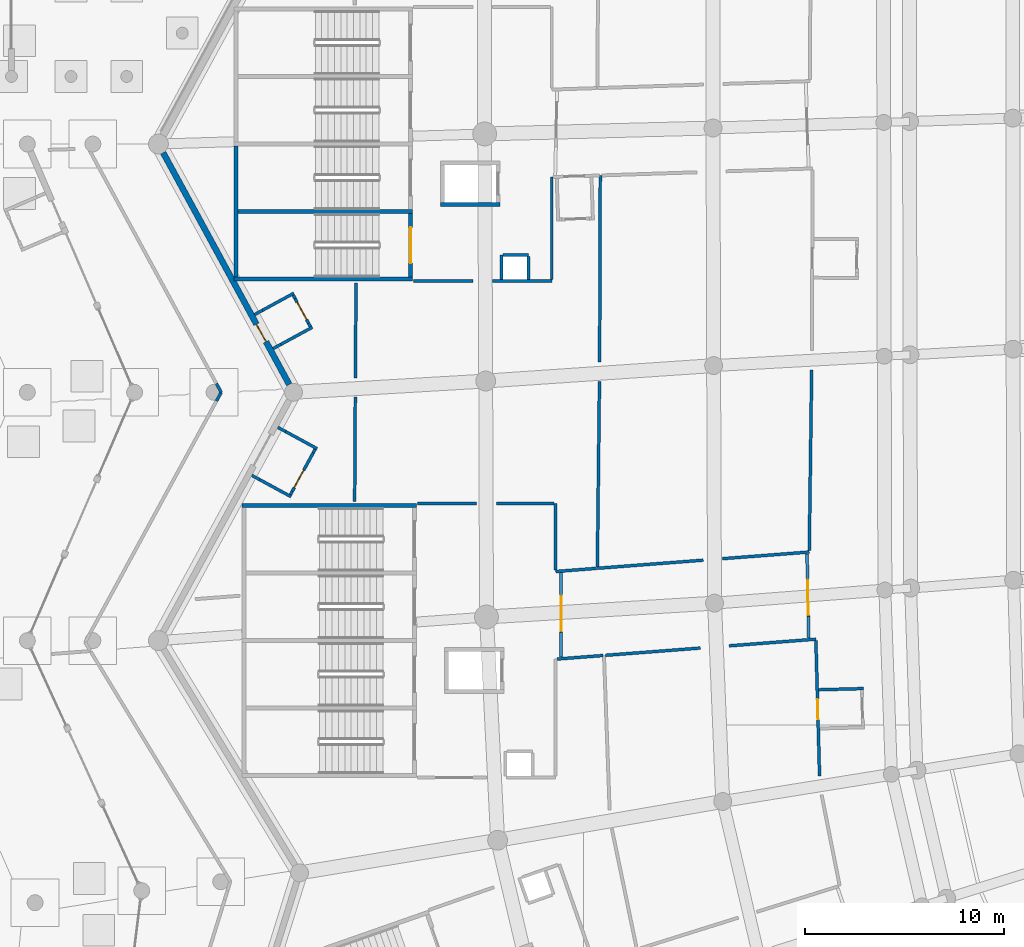
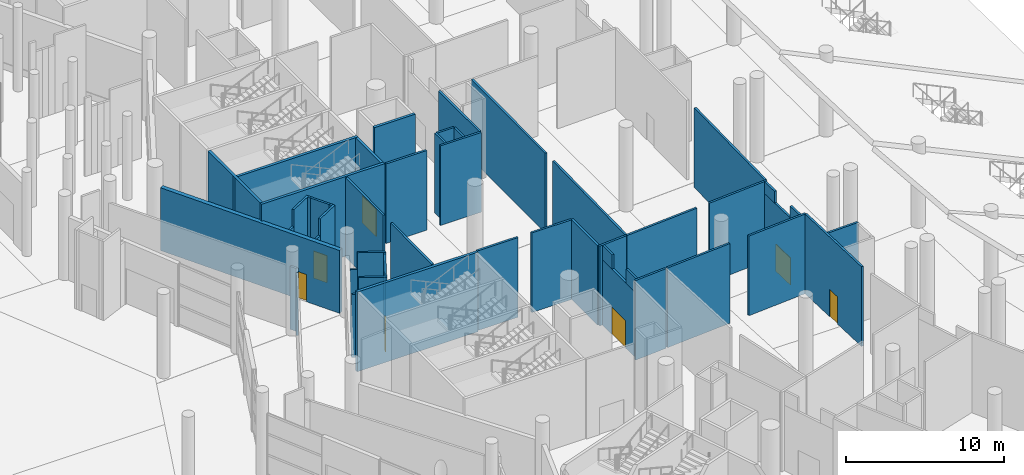
# One storey, part 111 of 255: 51 walls, 7 doors, 7 openings.
"""IFC4 building model written with IfcOpenShell, lengths in metres."""

from ifc_helpers import new_model, si_unit, direction, frame, frame_2d, origin, place, context, subcontext, project, spatial, rectangle, extrude, material, layer, layer_set, type_object, element, fill, save


model = new_model("IFC4")

# Units and contexts
model_context = context("Model", 3, precision=1e-05, world=origin(), true_north=direction((0.0, 1.0)))
body_context = subcontext(model_context, "Body", "Model", "MODEL_VIEW")
ifc_project = project(units=[si_unit("LENGTHUNIT", "METRE"), si_unit("AREAUNIT", "SQUARE_METRE"), si_unit("VOLUMEUNIT", "CUBIC_METRE"), si_unit("PLANEANGLEUNIT", "RADIAN"), si_unit("MASSUNIT", "GRAM", prefix="KILO")], contexts=[model_context])

# Site, building, storey
site_placement = place(None, origin())
site = spatial("IfcSite", under=ifc_project, at=site_placement, CompositionType="ELEMENT")
building_placement = place(site_placement, origin())
building = spatial("IfcBuilding", under=site, at=building_placement, Name="Meseta Stadium", CompositionType="ELEMENT")
storey_placement = place(building_placement, origin())
storey = spatial("IfcBuildingStorey", under=building, at=storey_placement, Name="L00", CompositionType="ELEMENT", Elevation=0.0)

# Walls
ifc_material_1 = material(Name="Concrete C40/50", Category="concrete")
ifc_layer_1 = layer(ifc_material_1, 0.199951171875)
ifc_layer_set_1 = layer_set([ifc_layer_1], Name="Core divider wall 200")
wall_type_1 = type_object("IfcWallType", Name="Core divider wall 200", PredefinedType="SHEAR", material=ifc_layer_set_1)
wall_1_placement = place(storey_placement, frame((-97.60009765625, -22.14990234375, 0.0), z_axis=(0.0, 0.0, 1.0), x_axis=(1.0, 0.0, 0.0)))
element("IfcWall", 1, at=wall_1_placement, inside=storey, type_object=wall_type_1, Name="Core 18 L00 stair B divider wall", PredefinedType="SHEAR", context=body_context, shape_type="SweptSolid", body=[
    extrude(rectangle(XDim=9.0, YDim=0.199951171875, at=frame_2d((4.5, 0.0))), origin(), (0.0, 0.0, 1.0), 6.14990234375),
])
ifc_material_2 = material(Name="Concrete C40/50", Category="concrete")
ifc_layer_2 = layer(ifc_material_2, 0.199951171875)
ifc_layer_set_2 = layer_set([ifc_layer_2], Name="Core shaft wall 200")
wall_type_2 = type_object("IfcWallType", Name="Core shaft wall 200", PredefinedType="SHEAR", material=ifc_layer_set_2)
wall_2_placement = place(storey_placement, frame((-97.60009765625, -25.550048828125, 0.0), z_axis=(0.0, 0.0, 1.0), x_axis=(1.0, 0.0, 0.0)))
element("IfcWall", 2, at=wall_2_placement, inside=storey, type_object=wall_type_2, Name="Core 18 L00 stair wall B-side", PredefinedType="SHEAR", context=body_context, shape_type="SweptSolid", body=[
    extrude(rectangle(XDim=9.0, YDim=0.199951171875, at=frame_2d((4.5, 0.0))), origin(), (0.0, 0.0, 1.0), 6.14990234375),
])
wall_3_placement = place(storey_placement, frame((-97.5, -18.85009765625, 0.0), z_axis=(0.0, 0.0, 1.0), x_axis=(0.0, -1.0, 0.0)))
element("IfcWall", 3, at=wall_3_placement, inside=storey, type_object=wall_type_2, Name="Core 18 L00 stair B outer end wall", PredefinedType="SHEAR", context=body_context, shape_type="SweptSolid", body=[
    extrude(rectangle(XDim=6.599853515625, YDim=0.199951171875, at=frame_2d((3.2998046875, 0.0))), origin(), (0.0, 0.0, 1.0), 6.14990234375),
])

# Wall, opening, door
wall_4_placement = place(storey_placement, frame((-88.699951171875, -22.25, 0.0), z_axis=(0.0, 0.0, 1.0), x_axis=(0.0, -1.0, 0.0)))
wall_4 = element("IfcWall", 4, at=wall_4_placement, inside=storey, type_object=wall_type_2, Name="Core 18 L00 stair B2 inner end wall", PredefinedType="SHEAR", context=body_context, shape_type="SweptSolid", body=[
    extrude(rectangle(XDim=3.199951171875, YDim=0.199951171875, at=frame_2d((1.60009765625, 0.0))), origin(), (0.0, 0.0, 1.0), 6.14990234375),
])
opening_1_placement = place(wall_4_placement, frame((0.699951171875, 0.0, 0.0)))
opening_1 = element("IfcOpeningElement", 5, at=opening_1_placement, cuts=wall_4, Name="Opening D248", PredefinedType="OPENING", context=body_context, shape_type="SweptSolid", body=[
    extrude(rectangle(XDim=1.800048828125, YDim=2.10009765625, at=frame_2d((0.89990234375, 1.050048828125))), frame((0.0, 0.10986328125, 0.0), z_axis=(0.0, -1.0, 0.0), x_axis=(1.0, 0.0, 0.0)), (0.0, 0.0, 1.0), 0.219970703125),
])
ifc_material_3 = material(Name="Steel", Category="steel")
door_type_1 = type_object("IfcDoorType", Name="Stair door 1800x2100", OperationType="DOUBLE_DOOR_SINGLE_SWING", PredefinedType="DOOR", material=ifc_material_3)
door_1_placement = place(opening_1_placement, origin())
door_1 = element("IfcDoor", 6, at=door_1_placement, inside=storey, type_object=door_type_1, Name="Stair B2 door 18 L00", OperationType="DOUBLE_DOOR_SINGLE_SWING", OverallHeight=2.10009765625, OverallWidth=1.800048828125, PredefinedType="DOOR", context=body_context, shape_type="SweptSolid", body=[
    extrude(rectangle(XDim=1.800048828125, YDim=2.10009765625, at=frame_2d((0.89990234375, 1.050048828125))), frame((0.0, 0.02490234375, 0.0), z_axis=(0.0, -1.0, 0.0), x_axis=(1.0, 0.0, 0.0)), (0.0, 0.0, 1.0), 0.050048828125),
])
fill(opening_1, door_1)

# Walls
wall_5_placement = place(storey_placement, frame((-87.199951171875, -21.800048828125, 0.0), z_axis=(0.0, 0.0, 1.0), x_axis=(1.0, 0.0, 0.0)))
element("IfcWall", 7, at=wall_5_placement, inside=storey, type_object=wall_type_2, Name="Core 18 L00 lift shaft wall right", PredefinedType="SHEAR", context=body_context, shape_type="SweptSolid", body=[
    extrude(rectangle(XDim=3.0, YDim=0.199951171875, at=frame_2d((1.5, 0.0))), origin(), (0.0, 0.0, 1.0), 6.14990234375),
])
wall_6_placement = place(storey_placement, frame((-97.199951171875, -36.949951171875, 0.0), z_axis=(0.0, 0.0, 1.0), x_axis=(1.0, 0.0, 0.0)))
element("IfcWall", 8, at=wall_6_placement, inside=storey, type_object=wall_type_2, Name="Core 19 L00 stair wall A-side", PredefinedType="SHEAR", context=body_context, shape_type="SweptSolid", body=[
    extrude(rectangle(XDim=8.800048828125, YDim=0.199951171875, at=frame_2d((4.39990234375, 0.0))), origin(), (0.0, 0.0, 1.0), 6.14990234375),
])
ifc_material_4 = material(Name="Masonry blockwork", Category="masonry")
ifc_layer_3 = layer(ifc_material_4, 0.14990234375)
ifc_layer_set_3 = layer_set([ifc_layer_3], Name="Partition 150")
wall_type_3 = type_object("IfcWallType", Name="Partition 150", PredefinedType="PARTITIONING", material=ifc_layer_set_3)
wall_7_placement = place(storey_placement, frame((-68.6376953125, -39.289794921875, 0.0), z_axis=(0.0, 0.0, 1.0), x_axis=(-0.997067594877, -0.076525886114, 0.0)))
element("IfcWall", 9, at=wall_7_placement, inside=storey, type_object=wall_type_3, Name="Partition L00 L00-cell17-1-0", PredefinedType="PARTITIONING", context=body_context, shape_type="SweptSolid", body=[
    extrude(rectangle(XDim=4.377197265625, YDim=0.14990234375, at=frame_2d((2.1884765625, 0.0))), origin(), (0.0, 0.0, 1.0), 6.14990234375),
])
wall_8_placement = place(storey_placement, frame((-73.971923828125, -39.69921875, 0.0), z_axis=(0.0, 0.0, 1.0), x_axis=(-0.997067356456, -0.076528992484, 0.0)))
element("IfcWall", 10, at=wall_8_placement, inside=storey, type_object=wall_type_3, Name="Partition L00 L00-cell17-1-0", PredefinedType="PARTITIONING", context=body_context, shape_type="SweptSolid", body=[
    extrude(rectangle(XDim=5.349853515625, YDim=0.14990234375, at=frame_2d((2.6748046875, 0.0))), origin(), (0.0, 0.0, 1.0), 6.14990234375),
])
wall_9_placement = place(storey_placement, frame((-79.305419921875, -40.033447265625, 0.0), z_axis=(0.0, 0.0, 1.0), x_axis=(0.011498912263, 0.999933885323, 0.0)))
element("IfcWall", 11, at=wall_9_placement, inside=storey, type_object=wall_type_3, Name="Partition L00 L00-cell17-1-0", PredefinedType="PARTITIONING", context=body_context, shape_type="SweptSolid", body=[
    extrude(rectangle(XDim=9.32080078125, YDim=0.14990234375, at=frame_2d((4.660400390625, 0.0))), origin(), (0.0, 0.0, 1.0), 6.14990234375),
])
wall_10_placement = place(storey_placement, frame((-79.19091796875, -29.724609375, 0.0), z_axis=(0.0, 0.0, 1.0), x_axis=(0.003612711966, 0.999993474135, 0.0)))
element("IfcWall", 12, at=wall_10_placement, inside=storey, type_object=wall_type_3, Name="Partition L00 L00-cell17-1-0", PredefinedType="PARTITIONING", context=body_context, shape_type="SweptSolid", body=[
    extrude(rectangle(XDim=9.393310546875, YDim=0.14990234375, at=frame_2d((4.69677734375, 0.0))), origin(), (0.0, 0.0, 1.0), 6.14990234375),
])
wall_11_placement = place(storey_placement, frame((-68.51513671875, -30.115966796875, 0.0), z_axis=(0.0, 0.0, 1.0), x_axis=(-0.013361477522, -0.999910731475, 0.0)))
element("IfcWall", 13, at=wall_11_placement, inside=storey, type_object=wall_type_3, Name="Partition L00 L00-cell17-1-0", PredefinedType="PARTITIONING", context=body_context, shape_type="SweptSolid", body=[
    extrude(rectangle(XDim=9.099365234375, YDim=0.14990234375, at=frame_2d((4.5498046875, 0.0))), origin(), (0.0, 0.0, 1.0), 6.14990234375),
])
wall_12_placement = place(storey_placement, frame((-91.522216796875, -36.75, 0.0), z_axis=(0.0, 0.0, 1.0), x_axis=(0.006125459352, 0.999981239198, 0.0)))
element("IfcWall", 14, at=wall_12_placement, inside=storey, type_object=wall_type_3, Name="Partition L00 L00-cell17-2-0", PredefinedType="PARTITIONING", context=body_context, shape_type="SweptSolid", body=[
    extrude(rectangle(XDim=5.260986328125, YDim=0.14990234375, at=frame_2d((2.63037109375, 0.0))), origin(), (0.0, 0.0, 1.0), 6.14990234375),
])
wall_13_placement = place(storey_placement, frame((-91.484130859375, -30.53271484375, 0.0), z_axis=(0.0, 0.0, 1.0), x_axis=(0.006125459352, 0.999981239198, 0.0)))
element("IfcWall", 15, at=wall_13_placement, inside=storey, type_object=wall_type_3, Name="Partition L00 L00-cell17-2-0", PredefinedType="PARTITIONING", context=body_context, shape_type="SweptSolid", body=[
    extrude(rectangle(XDim=4.78271484375, YDim=0.14990234375, at=frame_2d((2.391357421875, 0.0))), origin(), (0.0, 0.0, 1.0), 6.14990234375),
])
for number, where, z_axis, x_axis, name in (
    (16, (-88.56005859375, -25.64990234375, 0.0), (0.0, 0.0, 1.0), (1.0, 0.0, 0.0), "Partition L00 L00-cell17-2-0"),
    (17, (-84.5830078125, -25.64990234375, 0.0), (0.0, 0.0, 1.0), (1.0, 0.0, 0.0), "Partition L00 L00-cell17-2-0"),
):
    element("IfcWall", number, at=place(storey_placement, frame(where, z_axis=z_axis, x_axis=x_axis)), inside=storey, type_object=wall_type_3, Name=name, PredefinedType="PARTITIONING", context=body_context, shape_type="SweptSolid", body=[
        extrude(rectangle(XDim=2.98291015625, YDim=0.14990234375, at=frame_2d((1.491455078125, 0.0))), origin(), (0.0, 0.0, 1.0), 6.14990234375),
    ])
wall_14_placement = place(storey_placement, frame((-81.60009765625, -25.574951171875, 0.0), z_axis=(0.0, 0.0, 1.0), x_axis=(0.0, 1.0, 0.0)))
element("IfcWall", 18, at=wall_14_placement, inside=storey, type_object=wall_type_3, Name="Partition L00 L00-cell17-2-0", PredefinedType="PARTITIONING", context=body_context, shape_type="SweptSolid", body=[
    extrude(rectangle(XDim=5.163330078125, YDim=0.14990234375, at=frame_2d((2.58154296875, 0.0))), origin(), (0.0, 0.0, 1.0), 6.14990234375),
])
wall_15_placement = place(storey_placement, frame((-79.35595703125, -40.112548828125, 0.0), z_axis=(0.0, 0.0, 1.0), x_axis=(-0.997072672084, -0.076459705623, 0.0)))
element("IfcWall", 19, at=wall_15_placement, inside=storey, type_object=wall_type_3, Name="Partition L00 L00-cell17-2-0", PredefinedType="PARTITIONING", context=body_context, shape_type="SweptSolid", body=[
    extrude(rectangle(XDim=2.050048828125, YDim=0.14990234375, at=frame_2d((1.02490234375, 0.0))), origin(), (0.0, 0.0, 1.0), 6.14990234375),
])
wall_16_placement = place(storey_placement, frame((-81.39990234375, -40.194091796875, 0.0), z_axis=(0.0, 0.0, 1.0), x_axis=(0.0, 1.0, 0.0)))
element("IfcWall", 20, at=wall_16_placement, inside=storey, type_object=wall_type_3, Name="Partition L00 L00-cell17-2-0", PredefinedType="PARTITIONING", context=body_context, shape_type="SweptSolid", body=[
    extrude(rectangle(XDim=3.343994140625, YDim=0.14990234375, at=frame_2d((1.671875, 0.0))), origin(), (0.0, 0.0, 1.0), 6.14990234375),
])
wall_17_placement = place(storey_placement, frame((-81.47509765625, -36.85009765625, 0.0), z_axis=(0.0, 0.0, 1.0), x_axis=(-1.0, 0.0, 0.0)))
element("IfcWall", 21, at=wall_17_placement, inside=storey, type_object=wall_type_3, Name="Partition L00 L00-cell17-2-0", PredefinedType="PARTITIONING", context=body_context, shape_type="SweptSolid", body=[
    extrude(rectangle(XDim=2.90771484375, YDim=0.14990234375, at=frame_2d((1.453857421875, 0.0))), origin(), (0.0, 0.0, 1.0), 6.14990234375),
])
wall_18_placement = place(storey_placement, frame((-85.377197265625, -36.85009765625, 0.0), z_axis=(0.0, 0.0, 1.0), x_axis=(-1.0, 0.0, 0.0)))
element("IfcWall", 22, at=wall_18_placement, inside=storey, type_object=wall_type_3, Name="Partition L00 L00-cell17-2-0", PredefinedType="PARTITIONING", context=body_context, shape_type="SweptSolid", body=[
    extrude(rectangle(XDim=2.98291015625, YDim=0.14990234375, at=frame_2d((1.491455078125, 0.0))), origin(), (0.0, 0.0, 1.0), 6.14990234375),
])
wall_19_placement = place(storey_placement, frame((-78.89453125, -44.489990234375, 0.0), z_axis=(0.0, 0.0, 1.0), x_axis=(0.99706916822, 0.076505384026, 0.0)))
element("IfcWall", 23, at=wall_19_placement, inside=storey, type_object=wall_type_3, Name="Partition L00 L00-cell18-1-0", PredefinedType="PARTITIONING", context=body_context, shape_type="SweptSolid", body=[
    extrude(rectangle(XDim=4.78662109375, YDim=0.14990234375, at=frame_2d((2.393310546875, 0.0))), origin(), (0.0, 0.0, 1.0), 6.14990234375),
])
wall_20_placement = place(storey_placement, frame((-72.66748046875, -44.01220703125, 0.0), z_axis=(0.0, 0.0, 1.0), x_axis=(0.997065634049, 0.076551429766, 0.0)))
element("IfcWall", 24, at=wall_20_placement, inside=storey, type_object=wall_type_3, Name="Partition L00 L00-cell18-1-0", PredefinedType="PARTITIONING", context=body_context, shape_type="SweptSolid", body=[
    extrude(rectangle(XDim=4.375732421875, YDim=0.14990234375, at=frame_2d((2.18798828125, 0.0))), origin(), (0.0, 0.0, 1.0), 6.14990234375),
])

# Wall, opening, door
wall_21_placement = place(storey_placement, frame((-68.302490234375, -43.752197265625, 0.0), z_axis=(0.0, 0.0, 1.0), x_axis=(0.026998787176, -0.999635466303, 0.0)))
wall_21 = element("IfcWall", 25, at=wall_21_placement, inside=storey, type_object=wall_type_3, Name="Partition L00 L00-cell18-1-0", PredefinedType="PARTITIONING", context=body_context, shape_type="SweptSolid", body=[
    extrude(rectangle(XDim=6.818115234375, YDim=0.14990234375, at=frame_2d((3.4091796875, 0.0))), origin(), (0.0, 0.0, 1.0), 6.14990234375),
])
opening_2_placement = place(wall_21_placement, frame((2.949951171875, 0.0, 0.0)))
opening_2 = element("IfcOpeningElement", 26, at=opening_2_placement, cuts=wall_21, Name="Opening D589", PredefinedType="OPENING", context=body_context, shape_type="SweptSolid", body=[
    extrude(rectangle(XDim=1.0, YDim=2.10009765625, at=frame_2d((0.5, 1.050048828125))), frame((0.0, 0.0849609375, 0.0), z_axis=(0.0, -1.0, 0.0), x_axis=(1.0, 0.0, 0.0)), (0.0, 0.0, 1.0), 0.169921875),
])
ifc_material_5 = material(Name="Steel", Category="steel")
door_type_2 = type_object("IfcDoorType", Name="Fire door 1000x2100 EI2 60", OperationType="NOTDEFINED", PredefinedType="DOOR", material=ifc_material_5)
door_2_placement = place(opening_2_placement, origin())
door_2 = element("IfcDoor", 27, at=door_2_placement, inside=storey, type_object=door_type_2, Name="Door D589", OperationType="SINGLE_SWING_RIGHT", OverallHeight=2.10009765625, OverallWidth=1.0, PredefinedType="DOOR", context=body_context, shape_type="SweptSolid", body=[
    extrude(rectangle(XDim=1.0, YDim=2.10009765625, at=frame_2d((0.5, 1.050048828125))), frame((0.0, 0.02490234375, 0.0), z_axis=(0.0, -1.0, 0.0), x_axis=(1.0, 0.0, 0.0)), (0.0, 0.0, 1.0), 0.050048828125),
])
fill(opening_2, door_2)

# Walls
wall_22_placement = place(storey_placement, frame((-81.324951171875, -44.676513671875, 0.0), z_axis=(0.0, 0.0, 1.0), x_axis=(0.997066273449, 0.076543101255, 0.0)))
element("IfcWall", 28, at=wall_22_placement, inside=storey, type_object=wall_type_3, Name="Partition L00 L00-cell18-2-0", PredefinedType="PARTITIONING", context=body_context, shape_type="SweptSolid", body=[
    extrude(rectangle(XDim=2.3125, YDim=0.14990234375, at=frame_2d((1.15625, 0.0))), origin(), (0.0, 0.0, 1.0), 6.14990234375),
])
wall_23_placement = place(storey_placement, frame((-98.48095703125, -30.8125, 0.0), z_axis=(0.0, 0.0, 1.0), x_axis=(0.477924582155, -0.878400873048, 0.0)))
element("IfcWall", 29, at=wall_23_placement, inside=storey, type_object=wall_type_3, Name="Partition L00 L00-ring17-0", PredefinedType="PARTITIONING", context=body_context, shape_type="SweptSolid", body=[
    extrude(rectangle(XDim=0.498046875, YDim=0.14990234375, at=frame_2d((0.2490234375, 0.0))), origin(), (0.0, 0.0, 1.0), 4.85009765625),
])
wall_24_placement = place(storey_placement, frame((-98.242919921875, -31.25, 0.0), z_axis=(0.0, 0.0, 1.0), x_axis=(-0.477778636386, -0.878480264214, 0.0)))
element("IfcWall", 30, at=wall_24_placement, inside=storey, type_object=wall_type_3, Name="Partition L00 L00-ring17-0", PredefinedType="PARTITIONING", context=body_context, shape_type="SweptSolid", body=[
    extrude(rectangle(XDim=0.494140625, YDim=0.14990234375, at=frame_2d((0.2470703125, 0.0))), origin(), (0.0, 0.0, 1.0), 4.85009765625),
])
wall_25_placement = place(storey_placement, frame((-84.125, -24.324951171875, 0.0), z_axis=(0.0, 0.0, 1.0), x_axis=(0.0, -1.0, 0.0)))
element("IfcWall", 31, at=wall_25_placement, inside=storey, type_object=wall_type_3, Name="Pressurisation shaft wall L00 core 18", PredefinedType="PARTITIONING", context=body_context, shape_type="SweptSolid", body=[
    extrude(rectangle(XDim=1.2490234375, YDim=0.14990234375, at=frame_2d((0.62451171875, 0.0))), origin(), (0.0, 0.0, 1.0), 6.14990234375),
])
wall_26_placement = place(storey_placement, frame((-82.77490234375, -25.573974609375, 0.0), z_axis=(0.0, 0.0, 1.0), x_axis=(0.0, 1.0, 0.0)))
element("IfcWall", 32, at=wall_26_placement, inside=storey, type_object=wall_type_3, Name="Pressurisation shaft wall L00 core 18", PredefinedType="PARTITIONING", context=body_context, shape_type="SweptSolid", body=[
    extrude(rectangle(XDim=1.174072265625, YDim=0.14990234375, at=frame_2d((0.5869140625, 0.0))), origin(), (0.0, 0.0, 1.0), 6.14990234375),
])
wall_27_placement = place(storey_placement, frame((-82.77490234375, -24.324951171875, 0.0), z_axis=(0.0, 0.0, 1.0), x_axis=(-1.0, 0.0, 0.0)))
element("IfcWall", 33, at=wall_27_placement, inside=storey, type_object=wall_type_3, Name="Pressurisation shaft wall L00 core 18", PredefinedType="PARTITIONING", context=body_context, shape_type="SweptSolid", body=[
    extrude(rectangle(XDim=1.275146484375, YDim=0.14990234375, at=frame_2d((0.6376953125, 0.0))), origin(), (0.0, 0.0, 1.0), 6.14990234375),
])
wall_28_placement = place(storey_placement, frame((-95.626953125, -29.04833984375, 0.0), z_axis=(0.0, 0.0, 1.0), x_axis=(0.878372019733, 0.477977609256, 0.0)))
element("IfcWall", 34, at=wall_28_placement, inside=storey, type_object=wall_type_3, Name="Partition L00 L00-cell17-3-0 vestibule", PredefinedType="PARTITIONING", context=body_context, shape_type="SweptSolid", body=[
    extrude(rectangle(XDim=0.449951171875, YDim=0.14990234375, at=frame_2d((0.22509765625, 0.0))), origin(), (0.0, 0.0, 1.0), 4.85009765625),
])
wall_29_placement = place(storey_placement, frame((-95.231689453125, -28.833251953125, 0.0), z_axis=(0.0, 0.0, 1.0), x_axis=(0.878459932885, 0.477816017223, 0.0)))
element("IfcWall", 35, at=wall_29_placement, inside=storey, type_object=wall_type_3, Name="Partition L00 L00-cell17-3-0 vestibule", PredefinedType="PARTITIONING", context=body_context, shape_type="SweptSolid", body=[
    extrude(rectangle(XDim=1.800048828125, YDim=0.14990234375, at=frame_2d((0.89990234375, 0.0))), origin(), (0.0, 0.0, 1.0), 6.14990234375),
])
wall_30_placement = place(storey_placement, frame((-96.558837890625, -27.335205078125, 0.0), z_axis=(0.0, 0.0, 1.0), x_axis=(0.878599760102, 0.477558856633, 0.0)))
element("IfcWall", 36, at=wall_30_placement, inside=storey, type_object=wall_type_3, Name="Partition L00 L00-cell17-3-0 vestibule", PredefinedType="PARTITIONING", context=body_context, shape_type="SweptSolid", body=[
    extrude(rectangle(XDim=0.449951171875, YDim=0.14990234375, at=frame_2d((0.22509765625, 0.0))), origin(), (0.0, 0.0, 1.0), 4.85009765625),
])
wall_31_placement = place(storey_placement, frame((-96.16357421875, -27.120361328125, 0.0), z_axis=(0.0, 0.0, 1.0), x_axis=(0.878372019733, 0.477977609256, 0.0)))
element("IfcWall", 37, at=wall_31_placement, inside=storey, type_object=wall_type_3, Name="Partition L00 L00-cell17-3-0 vestibule", PredefinedType="PARTITIONING", context=body_context, shape_type="SweptSolid", body=[
    extrude(rectangle(XDim=1.800048828125, YDim=0.14990234375, at=frame_2d((0.89990234375, 0.0))), origin(), (0.0, 0.0, 1.0), 6.14990234375),
])
wall_32_placement = place(storey_placement, frame((-93.752197265625, -27.943115234375, 0.0), z_axis=(0.0, 0.0, 1.0), x_axis=(-0.478168266369, 0.878268244352, 0.0)))
element("IfcWall", 38, at=wall_32_placement, inside=storey, type_object=wall_type_3, Name="Partition L00 L00-cell17-3-0 vestibule", PredefinedType="PARTITIONING", context=body_context, shape_type="SweptSolid", body=[
    extrude(rectangle(XDim=0.2001953125, YDim=0.14990234375, at=frame_2d((0.10009765625, 0.0))), origin(), (0.0, 0.0, 1.0), 6.14990234375),
])

# Wall, opening, door
wall_33_placement = place(storey_placement, frame((-93.847900390625, -27.767333984375, 0.0), z_axis=(0.0, 0.0, 1.0), x_axis=(-0.47784986479, 0.878441521514, 0.0)))
wall_33 = element("IfcWall", 39, at=wall_33_placement, inside=storey, type_object=wall_type_3, Name="Partition L00 L00-cell17-3-0 vestibule", PredefinedType="PARTITIONING", context=body_context, shape_type="SweptSolid", body=[
    extrude(rectangle(XDim=1.39990234375, YDim=0.14990234375, at=frame_2d((0.699951171875, 0.0))), origin(), (0.0, 0.0, 1.0), 6.14990234375),
])
opening_3_placement = place(wall_33_placement, frame((0.199951171875, 0.0, 0.0)))
opening_3 = element("IfcOpeningElement", 40, at=opening_3_placement, cuts=wall_33, Name="Opening D852", PredefinedType="OPENING", context=body_context, shape_type="SweptSolid", body=[
    extrude(rectangle(XDim=1.0, YDim=2.10009765625, at=frame_2d((0.5, 1.050048828125))), frame((0.0, 0.0849609375, 0.0), z_axis=(0.0, -1.0, 0.0), x_axis=(1.0, 0.0, 0.0)), (0.0, 0.0, 1.0), 0.169921875),
])
door_3_placement = place(opening_3_placement, origin())
door_3 = element("IfcDoor", 41, at=door_3_placement, inside=storey, type_object=door_type_2, Name="Vestibule door L00 L00-cell17-3-0", OperationType="SINGLE_SWING_LEFT", OverallHeight=2.10009765625, OverallWidth=1.0, PredefinedType="DOOR", context=body_context, shape_type="SweptSolid", body=[
    extrude(rectangle(XDim=1.0, YDim=2.10009765625, at=frame_2d((0.5, 1.050048828125))), frame((0.0, 0.02490234375, 0.0), z_axis=(0.0, -1.0, 0.0), x_axis=(1.0, 0.0, 0.0)), (0.0, 0.0, 1.0), 0.050048828125),
])
fill(opening_3, door_3)

# Walls
wall_34_placement = place(storey_placement, frame((-94.516845703125, -26.53759765625, 0.0), z_axis=(0.0, 0.0, 1.0), x_axis=(-0.477226530971, 0.878780312785, 0.0)))
element("IfcWall", 42, at=wall_34_placement, inside=storey, type_object=wall_type_3, Name="Partition L00 L00-cell17-3-0 vestibule", PredefinedType="PARTITIONING", context=body_context, shape_type="SweptSolid", body=[
    extrude(rectangle(XDim=0.199951171875, YDim=0.14990234375, at=frame_2d((0.10009765625, 0.0))), origin(), (0.0, 0.0, 1.0), 6.14990234375),
])
wall_35_placement = place(storey_placement, frame((-96.7021484375, -35.42822265625, 0.0), z_axis=(0.0, 0.0, 1.0), x_axis=(0.878372019733, -0.477977609256, 0.0)))
element("IfcWall", 43, at=wall_35_placement, inside=storey, type_object=wall_type_3, Name="Partition L00 L00-cell17-3-0 vestibule", PredefinedType="PARTITIONING", context=body_context, shape_type="SweptSolid", body=[
    extrude(rectangle(XDim=0.449951171875, YDim=0.14990234375, at=frame_2d((0.22509765625, 0.0))), origin(), (0.0, 0.0, 1.0), 4.85009765625),
])
wall_36_placement = place(storey_placement, frame((-96.306884765625, -35.643310546875, 0.0), z_axis=(0.0, 0.0, 1.0), x_axis=(0.878428962466, -0.477872951632, 0.0)))
element("IfcWall", 44, at=wall_36_placement, inside=storey, type_object=wall_type_3, Name="Partition L00 L00-cell17-3-0 vestibule", PredefinedType="PARTITIONING", context=body_context, shape_type="SweptSolid", body=[
    extrude(rectangle(XDim=1.7998046875, YDim=0.14990234375, at=frame_2d((0.89990234375, 0.0))), origin(), (0.0, 0.0, 1.0), 6.14990234375),
])
wall_37_placement = place(storey_placement, frame((-95.38818359375, -33.0126953125, 0.0), z_axis=(0.0, 0.0, 1.0), x_axis=(0.878372019733, -0.477977609256, 0.0)))
element("IfcWall", 45, at=wall_37_placement, inside=storey, type_object=wall_type_3, Name="Partition L00 L00-cell17-3-0 vestibule", PredefinedType="PARTITIONING", context=body_context, shape_type="SweptSolid", body=[
    extrude(rectangle(XDim=0.449951171875, YDim=0.14990234375, at=frame_2d((0.22509765625, 0.0))), origin(), (0.0, 0.0, 1.0), 4.85009765625),
])
wall_38_placement = place(storey_placement, frame((-94.992919921875, -33.227783203125, 0.0), z_axis=(0.0, 0.0, 1.0), x_axis=(0.878459932885, -0.477816017223, 0.0)))
element("IfcWall", 46, at=wall_38_placement, inside=storey, type_object=wall_type_3, Name="Partition L00 L00-cell17-3-0 vestibule", PredefinedType="PARTITIONING", context=body_context, shape_type="SweptSolid", body=[
    extrude(rectangle(XDim=1.800048828125, YDim=0.14990234375, at=frame_2d((0.89990234375, 0.0))), origin(), (0.0, 0.0, 1.0), 6.14990234375),
])
wall_39_placement = place(storey_placement, frame((-94.755859375, -36.40185546875, 0.0), z_axis=(0.0, 0.0, 1.0), x_axis=(0.478168266369, 0.878268244352, 0.0)))
element("IfcWall", 47, at=wall_39_placement, inside=storey, type_object=wall_type_3, Name="Partition L00 L00-cell17-3-0 vestibule", PredefinedType="PARTITIONING", context=body_context, shape_type="SweptSolid", body=[
    extrude(rectangle(XDim=0.2001953125, YDim=0.14990234375, at=frame_2d((0.10009765625, 0.0))), origin(), (0.0, 0.0, 1.0), 6.14990234375),
])

# Wall, opening, door
wall_40_placement = place(storey_placement, frame((-94.66015625, -36.22607421875, 0.0), z_axis=(0.0, 0.0, 1.0), x_axis=(0.477887643273, 0.878420969927, 0.0)))
wall_40 = element("IfcWall", 48, at=wall_40_placement, inside=storey, type_object=wall_type_3, Name="Partition L00 L00-cell17-3-0 vestibule", PredefinedType="PARTITIONING", context=body_context, shape_type="SweptSolid", body=[
    extrude(rectangle(XDim=2.19970703125, YDim=0.14990234375, at=frame_2d((1.099853515625, 0.0))), origin(), (0.0, 0.0, 1.0), 6.14990234375),
])
opening_4_placement = place(wall_40_placement, frame((0.199951171875, 0.0, 0.0)))
opening_4 = element("IfcOpeningElement", 49, at=opening_4_placement, cuts=wall_40, Name="Opening D853", PredefinedType="OPENING", context=body_context, shape_type="SweptSolid", body=[
    extrude(rectangle(XDim=1.0, YDim=2.10009765625, at=frame_2d((0.5, 1.050048828125))), frame((0.0, 0.0849609375, 0.0), z_axis=(0.0, -1.0, 0.0), x_axis=(1.0, 0.0, 0.0)), (0.0, 0.0, 1.0), 0.169921875),
])
door_4_placement = place(opening_4_placement, origin())
door_4 = element("IfcDoor", 50, at=door_4_placement, inside=storey, type_object=door_type_2, Name="Vestibule door L00 L00-cell17-3-0", OperationType="SINGLE_SWING_LEFT", OverallHeight=2.10009765625, OverallWidth=1.0, PredefinedType="DOOR", context=body_context, shape_type="SweptSolid", body=[
    extrude(rectangle(XDim=1.0, YDim=2.10009765625, at=frame_2d((0.5, 1.050048828125))), frame((0.0, 0.02490234375, 0.0), z_axis=(0.0, -1.0, 0.0), x_axis=(1.0, 0.0, 0.0)), (0.0, 0.0, 1.0), 0.050048828125),
])
fill(opening_4, door_4)

# Walls
wall_41_placement = place(storey_placement, frame((-93.60888671875, -34.293701171875, 0.0), z_axis=(0.0, 0.0, 1.0), x_axis=(0.477226530971, 0.878780312785, 0.0)))
element("IfcWall", 51, at=wall_41_placement, inside=storey, type_object=wall_type_3, Name="Partition L00 L00-cell17-3-0 vestibule", PredefinedType="PARTITIONING", context=body_context, shape_type="SweptSolid", body=[
    extrude(rectangle(XDim=0.199951171875, YDim=0.14990234375, at=frame_2d((0.10009765625, 0.0))), origin(), (0.0, 0.0, 1.0), 6.14990234375),
])
wall_42_placement = place(storey_placement, frame((-68.160888671875, -46.224365234375, 0.0), z_axis=(0.0, 0.0, 1.0), x_axis=(0.999634969873, 0.027017161348, 0.0)))
element("IfcWall", 52, at=wall_42_placement, inside=storey, type_object=wall_type_3, Name="Partition L00 L00-cell18-1-0 vestibule", PredefinedType="PARTITIONING", context=body_context, shape_type="SweptSolid", body=[
    extrude(rectangle(XDim=2.25, YDim=0.14990234375, at=frame_2d((1.125, 0.0))), origin(), (0.0, 0.0, 1.0), 6.14990234375),
])

# Wall, opening, door
wall_43_placement = place(storey_placement, frame((-81.125, -40.330322265625, 0.0), z_axis=(0.0, 0.0, 1.0), x_axis=(0.0, -1.0, 0.0)))
wall_43 = element("IfcWall", 53, at=wall_43_placement, inside=storey, type_object=wall_type_3, Name="Escape corridor sector wall L00 core 19", PredefinedType="PARTITIONING", context=body_context, shape_type="SweptSolid", body=[
    extrude(rectangle(XDim=4.2490234375, YDim=0.14990234375, at=frame_2d((2.12451171875, 0.0))), origin(), (0.0, 0.0, 1.0), 5.050048828125),
])
opening_5_placement = place(wall_43_placement, frame((1.14990234375, 0.0, 0.0)))
opening_5 = element("IfcOpeningElement", 54, at=opening_5_placement, cuts=wall_43, Name="Opening D423", PredefinedType="OPENING", context=body_context, shape_type="SweptSolid", body=[
    extrude(rectangle(XDim=1.800048828125, YDim=2.10009765625, at=frame_2d((0.89990234375, 1.050048828125))), frame((0.0, 0.0849609375, 0.0), z_axis=(0.0, -1.0, 0.0), x_axis=(1.0, 0.0, 0.0)), (0.0, 0.0, 1.0), 0.169921875),
])
ifc_material_6 = material(Name="Steel", Category="steel")
door_type_3 = type_object("IfcDoorType", Name="Fire double door 1800x2100 EI2 60", OperationType="DOUBLE_DOOR_SINGLE_SWING", PredefinedType="DOOR", material=ifc_material_6)
door_5_placement = place(opening_5_placement, origin())
door_5 = element("IfcDoor", 55, at=door_5_placement, inside=storey, type_object=door_type_3, Name="Escape corridor door EC19-1", OperationType="DOUBLE_DOOR_SINGLE_SWING", OverallHeight=2.10009765625, OverallWidth=1.800048828125, PredefinedType="DOOR", context=body_context, shape_type="SweptSolid", body=[
    extrude(rectangle(XDim=1.800048828125, YDim=2.10009765625, at=frame_2d((0.89990234375, 1.050048828125))), frame((0.0, 0.02490234375, 0.0), z_axis=(0.0, -1.0, 0.0), x_axis=(1.0, 0.0, 0.0)), (0.0, 0.0, 1.0), 0.050048828125),
])
fill(opening_5, door_5)

# Walls
wall_44_placement = place(storey_placement, frame((-81.125, -40.330322265625, 5.050048828125), z_axis=(0.0, 0.0, 1.0), x_axis=(0.0, -1.0, 0.0)))
element("IfcWall", 56, at=wall_44_placement, inside=storey, type_object=wall_type_3, Name="Escape corridor sector wall L00 core 19", PredefinedType="PARTITIONING", context=body_context, shape_type="SweptSolid", body=[
    extrude(rectangle(XDim=1.2177734375, YDim=0.14990234375, at=frame_2d((0.60888671875, 0.0))), origin(), (0.0, 0.0, 1.0), 1.099853515625),
])
wall_45_placement = place(storey_placement, frame((-81.125, -43.330322265625, 5.050048828125), z_axis=(0.0, 0.0, 1.0), x_axis=(0.0, -1.0, 0.0)))
element("IfcWall", 57, at=wall_45_placement, inside=storey, type_object=wall_type_3, Name="Escape corridor sector wall L00 core 19", PredefinedType="PARTITIONING", context=body_context, shape_type="SweptSolid", body=[
    extrude(rectangle(XDim=1.2490234375, YDim=0.14990234375, at=frame_2d((0.62451171875, 0.0))), origin(), (0.0, 0.0, 1.0), 1.099853515625),
])

# Wall, opening, door
wall_46_placement = place(storey_placement, frame((-68.74853515625, -39.37890625, 0.0), z_axis=(0.0, 0.0, 1.0), x_axis=(0.020353480226, -0.999792846465, 0.0)))
wall_46 = element("IfcWall", 58, at=wall_46_placement, inside=storey, type_object=wall_type_3, Name="Escape corridor discharge wall L00 core 19", PredefinedType="PARTITIONING", context=body_context, shape_type="SweptSolid", body=[
    extrude(rectangle(XDim=4.246337890625, YDim=0.14990234375, at=frame_2d((2.123046875, 0.0))), origin(), (0.0, 0.0, 1.0), 5.25),
])
opening_6_placement = place(wall_46_placement, frame((1.29638671875, 0.0, 0.0)))
opening_6 = element("IfcOpeningElement", 59, at=opening_6_placement, cuts=wall_46, Name="Opening D395", PredefinedType="OPENING", context=body_context, shape_type="SweptSolid", body=[
    extrude(rectangle(XDim=1.800048828125, YDim=2.10009765625, at=frame_2d((0.89990234375, 1.050048828125))), frame((0.0, 0.0849609375, 0.0), z_axis=(0.0, -1.0, 0.0), x_axis=(1.0, 0.0, 0.0)), (0.0, 0.0, 1.0), 0.169921875),
])
door_6_placement = place(opening_6_placement, origin())
door_6 = element("IfcDoor", 60, at=door_6_placement, inside=storey, type_object=door_type_3, Name="Stair discharge door SD19-1", OperationType="DOUBLE_DOOR_SINGLE_SWING", OverallHeight=2.10009765625, OverallWidth=1.800048828125, PredefinedType="DOOR", context=body_context, shape_type="SweptSolid", body=[
    extrude(rectangle(XDim=1.800048828125, YDim=2.10009765625, at=frame_2d((0.89990234375, 1.050048828125))), frame((0.0, 0.02490234375, 0.0), z_axis=(0.0, -1.0, 0.0), x_axis=(1.0, 0.0, 0.0)), (0.0, 0.0, 1.0), 0.050048828125),
])
fill(opening_6, door_6)

# Walls
wall_47_placement = place(storey_placement, frame((-68.6845703125, -42.5244140625, 5.25), z_axis=(0.0, 0.0, 1.0), x_axis=(0.020417496513, -0.999791541191, 0.0)))
element("IfcWall", 61, at=wall_47_placement, inside=storey, type_object=wall_type_3, Name="Escape corridor discharge wall L00 core 19", PredefinedType="PARTITIONING", context=body_context, shape_type="SweptSolid", body=[
    extrude(rectangle(XDim=1.10009765625, YDim=0.14990234375, at=frame_2d((0.550048828125, 0.0))), origin(), (0.0, 0.0, 1.0), 0.89990234375),
])
wall_48_placement = place(storey_placement, frame((-68.74853515625, -39.37890625, 5.25), z_axis=(0.0, 0.0, 1.0), x_axis=(0.020375937382, -0.999792389037, 0.0)))
element("IfcWall", 62, at=wall_48_placement, inside=storey, type_object=wall_type_3, Name="Escape corridor discharge wall L00 core 19", PredefinedType="PARTITIONING", context=body_context, shape_type="SweptSolid", body=[
    extrude(rectangle(XDim=1.24609375, YDim=0.14990234375, at=frame_2d((0.623046875, 0.0))), origin(), (0.0, 0.0, 1.0), 0.89990234375),
])

# Wall, opening, door
ifc_material_7 = material(Name="White precast concrete C40/50", Category="concrete")
ifc_layer_4 = layer(ifc_material_7, 0.300048828125)
ifc_layer_set_4 = layer_set([ifc_layer_4], Name="Pleated panel wall 300 concourse")
wall_type_4 = type_object("IfcWallType", Name="Pleated panel wall 300 concourse", PredefinedType="SOLIDWALL", material=ifc_layer_set_4)
wall_49_placement = place(storey_placement, frame((-94.81494140625, -30.854736328125, 0.0), z_axis=(0.0, 0.0, 1.0), x_axis=(-0.477867771117, 0.878431780691, 0.0)))
wall_49 = element("IfcWall", 63, at=wall_49_placement, inside=storey, type_object=wall_type_4, Name="Pleated facade panel L00 F34", PredefinedType="SOLIDWALL", context=body_context, shape_type="SweptSolid", body=[
    extrude(rectangle(XDim=13.2802734375, YDim=0.300048828125, at=frame_2d((6.64013671875, 0.0))), origin(), (0.0, 0.0, 1.0), 4.85009765625),
])
opening_7_placement = place(wall_49_placement, frame((2.449951171875, 0.0, 0.0)))
opening_7 = element("IfcOpeningElement", 64, at=opening_7_placement, cuts=wall_49, Name="Opening D588", PredefinedType="OPENING", context=body_context, shape_type="SweptSolid", body=[
    extrude(rectangle(XDim=1.0, YDim=2.10009765625, at=frame_2d((0.5, 1.050048828125))), frame((0.0, 0.159912109375, 0.0), z_axis=(0.0, -1.0, 0.0), x_axis=(1.0, 0.0, 0.0)), (0.0, 0.0, 1.0), 0.320068359375),
])
door_7_placement = place(opening_7_placement, origin())
door_7 = element("IfcDoor", 65, at=door_7_placement, inside=storey, type_object=door_type_2, Name="Door D588", OperationType="SINGLE_SWING_LEFT", OverallHeight=2.10009765625, OverallWidth=1.0, PredefinedType="DOOR", context=body_context, shape_type="SweptSolid", body=[
    extrude(rectangle(XDim=1.0, YDim=2.10009765625, at=frame_2d((0.5, 1.050048828125))), frame((0.0, 0.02490234375, 0.0), z_axis=(0.0, -1.0, 0.0), x_axis=(1.0, 0.0, 0.0)), (0.0, 0.0, 1.0), 0.050048828125),
])
fill(opening_7, door_7)

save(model, "model.ifc")
